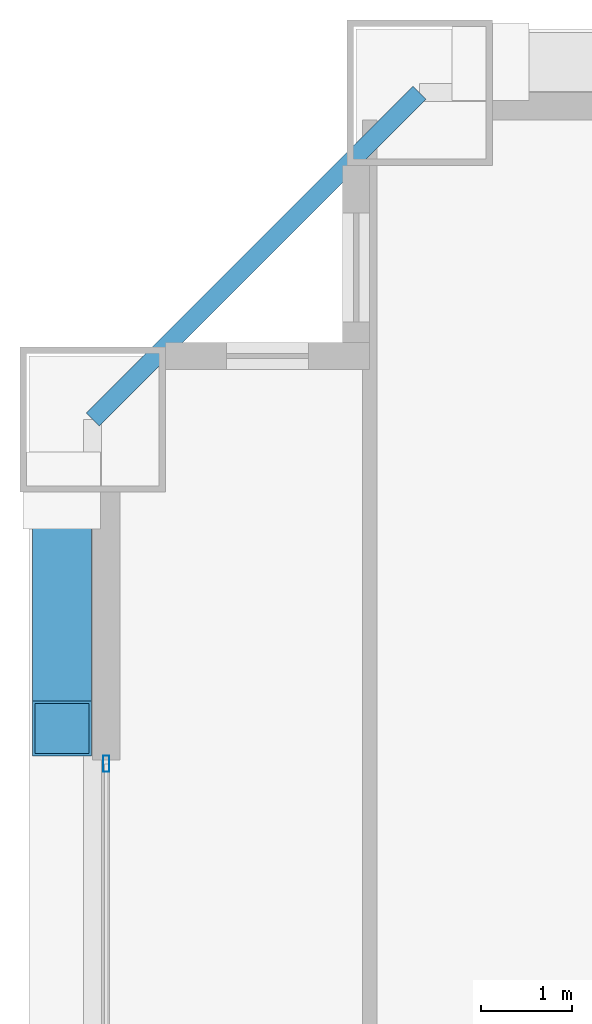
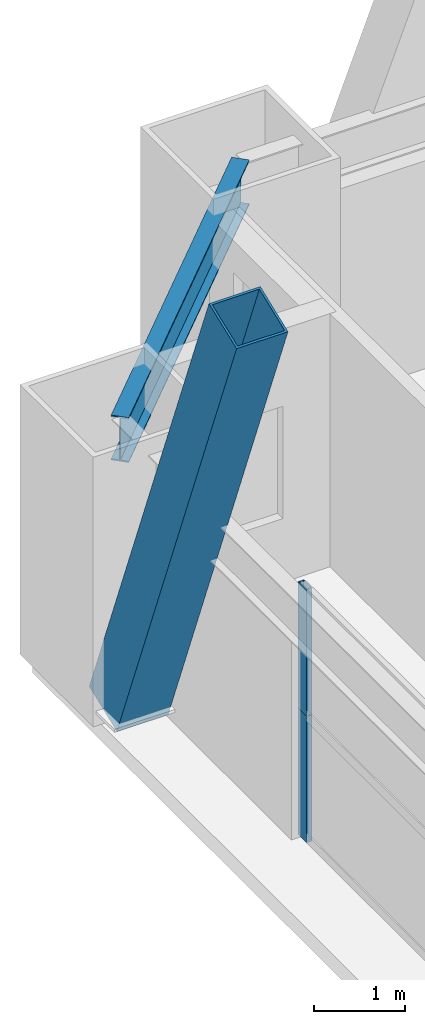
# One storey, part 24 of 41: 3 members, 1 beam, 1 element without a shape of its own.
"""IFC4 building model written with IfcOpenShell, lengths in metres."""

from ifc_helpers import new_model, si_unit, direction, frame, origin, origin_2d, place, context, subcontext, project, spatial, hollow_rectangle, i_section, extrude, source, transform, mapped, material, layer, layer_set, material_profile, profile_set, type_object, element, aggregate, save


model = new_model("IFC4")

# Units and contexts
model_context = context("Model", 3, precision=1e-05, world=origin(), true_north=direction((0.0, 1.0)))
body_context = subcontext(model_context, "Body", "Model", "MODEL_VIEW")
ifc_project = project(units=[si_unit("LENGTHUNIT", "METRE"), si_unit("AREAUNIT", "SQUARE_METRE"), si_unit("VOLUMEUNIT", "CUBIC_METRE"), si_unit("PLANEANGLEUNIT", "RADIAN"), si_unit("MASSUNIT", "GRAM", prefix="KILO"), si_unit("THERMODYNAMICTEMPERATUREUNIT", "KELVIN"), si_unit("POWERUNIT", "WATT")], contexts=[model_context])

# Site, building, storey
site_placement = place(None, origin())
site = spatial("IfcSite", under=ifc_project, at=site_placement, CompositionType="ELEMENT")
building_placement = place(site_placement, origin())
building = spatial("IfcBuilding", under=site, at=building_placement, Name="Yuzanri Waterfront Tower", CompositionType="ELEMENT")
storey_placement = place(building_placement, frame((0.0, 0.0, 152.39990234375)))
storey = spatial("IfcBuildingStorey", under=building, at=storey_placement, Name="L40", CompositionType="ELEMENT", Elevation=152.39990234375)

# Beam
ifc_material_1 = material(Name="Steel Q355B", Category="steel")
ifc_material_profile_1 = material_profile(ifc_material_1, i_section(OverallWidth=0.199951171875, OverallDepth=0.60009765625, WebThickness=0.010986328125, FlangeThickness=0.01708984375, at=origin_2d()), Name="HN 600x200x11x17")
ifc_profile_set_1 = profile_set([ifc_material_profile_1], Name="Steel Q355B")
beam_type = type_object("IfcBeamType", Name="Perimeter Spandrel Q355B HN 600x200", PredefinedType="SPANDREL", material=ifc_profile_set_1)
shared_shape_1 = source(origin(), body_context, "Body", "SweptSolid", [
    extrude(i_section(OverallWidth=0.199951171875, OverallDepth=0.60009765625, WebThickness=0.010986328125, FlangeThickness=0.01708984375, at=origin_2d()), origin(), (0.0, 0.0, 1.0), 5.091064453125),
])
beam_placement = place(storey_placement, frame((17.0, 49.39990234375, 3.080078125), z_axis=(-0.707130757816, -0.707082803744, 0.0), x_axis=(0.707082803744, -0.707130757816, 0.0)))
element("IfcBeam", 1, at=beam_placement, inside=storey, type_object=beam_type, Name="L40 Perimeter Spandrel N1-W3", PredefinedType="SPANDREL", context=body_context, shape_type="MappedRepresentation", body=[
    mapped(shared_shape_1, transform((0.0, 0.0, 0.0), scale=1.0)),
])

# Member
ifc_material_2 = material(Name="Steel Q420GJC", Category="steel")
ifc_material_profile_2 = material_profile(ifc_material_2, hollow_rectangle(XDim=0.64990234375, YDim=0.64990234375, WallThickness=0.028076171875, at=origin_2d()), Name="RHS 650x650x28")
ifc_profile_set_2 = profile_set([ifc_material_profile_2], Name="Steel Q420GJC")
member_type_1 = type_object("IfcMemberType", Name="Mega Brace Lower Q420GJC RHS 650x650x28", PredefinedType="BRACE", material=ifc_profile_set_2)
shared_shape_2 = source(origin(), body_context, "Body", "SweptSolid", [
    extrude(hollow_rectangle(XDim=0.64990234375, YDim=0.64990234375, WallThickness=0.028076171875, at=origin_2d()), origin(), (0.0, 0.0, 1.0), 7.194091796875),
])
member_1_placement = place(storey_placement, frame((13.06005859375, 45.02001953125, 0.18017578125), z_axis=(0.0, -0.36420612543, 0.931318365651), x_axis=(1.0, 0.0, 0.0)))
element("IfcMember", 2, at=member_1_placement, inside=storey, type_object=member_type_1, Name="L40-L41 Perimeter Mega-Brace W-R", PredefinedType="BRACE", context=body_context, shape_type="MappedRepresentation", body=[
    mapped(shared_shape_2, transform((0.0, 0.0, 0.0), scale=1.0)),
])

# Curtain wall, members
ifc_material_3 = material(Name="Anodized Architectural Bronze", Category="metal")
ifc_layer = layer(ifc_material_3, 0.159912109375)
ifc_layer_set = layer_set([ifc_layer], Name="Anodized Architectural Bronze")
curtain_wall_type = type_object("IfcCurtainWallType", Name="Anodized Bronze Hotel Upper-Tier Solar-Control Unitized Curtain Wall 7800", PredefinedType="NOTDEFINED", material=ifc_layer_set)
curtain_wall_placement = place(storey_placement, origin())
curtain_wall = element("IfcCurtainWall", 3, at=curtain_wall_placement, inside=storey, type_object=curtain_wall_type, Name="L40 Curtain Wall CW-L40-WR", PredefinedType="NOTDEFINED")
ifc_material_4 = material(Name="Anodized Architectural Bronze", Category="metal")
ifc_material_profile_3 = material_profile(ifc_material_4, hollow_rectangle(XDim=0.070068359375, YDim=0.179931640625, WallThickness=0.00390625, at=origin_2d()), Name="CWM 70x180")
ifc_profile_set_3 = profile_set([ifc_material_profile_3], Name="Anodized Architectural Bronze")
member_type_2 = type_object("IfcMemberType", Name="Anodized Bronze Standard Curtain-Wall Mullion 70x180", PredefinedType="MULLION", material=ifc_profile_set_3)
shared_shape_3 = source(origin(), body_context, "Body", "SweptSolid", [
    extrude(hollow_rectangle(XDim=0.070068359375, YDim=0.179931640625, WallThickness=0.00390625, at=origin_2d()), origin(), (0.0, 0.0, 1.0), 1.68798828125),
])
member_2_placement = place(storey_placement, frame((13.550048828125, 42.010009765625, 0.0), z_axis=(0.0, 0.0, 1.0), x_axis=(1.0, 0.0, 0.0)))
member_2 = element("IfcMember", 4, at=member_2_placement, type_object=member_type_2, Name="CW-L40-WR Lower Mullion 02", PredefinedType="MULLION", context=body_context, shape_type="MappedRepresentation", body=[
    mapped(shared_shape_3, transform((0.0, 0.0, 0.0), scale=1.0)),
])
member_3_placement = place(storey_placement, frame((13.550048828125, 42.010009765625, 1.692138671875), z_axis=(0.0, 0.0, 1.0), x_axis=(1.0, 0.0, 0.0)))
member_3 = element("IfcMember", 5, at=member_3_placement, type_object=member_type_2, Name="CW-L40-WR Upper Mullion 02", PredefinedType="MULLION", context=body_context, shape_type="MappedRepresentation", body=[
    mapped(shared_shape_3, transform((0.0, 0.0, 0.0), scale=1.0)),
])
aggregate(curtain_wall, [member_2, member_3])

save(model, "model.ifc")
